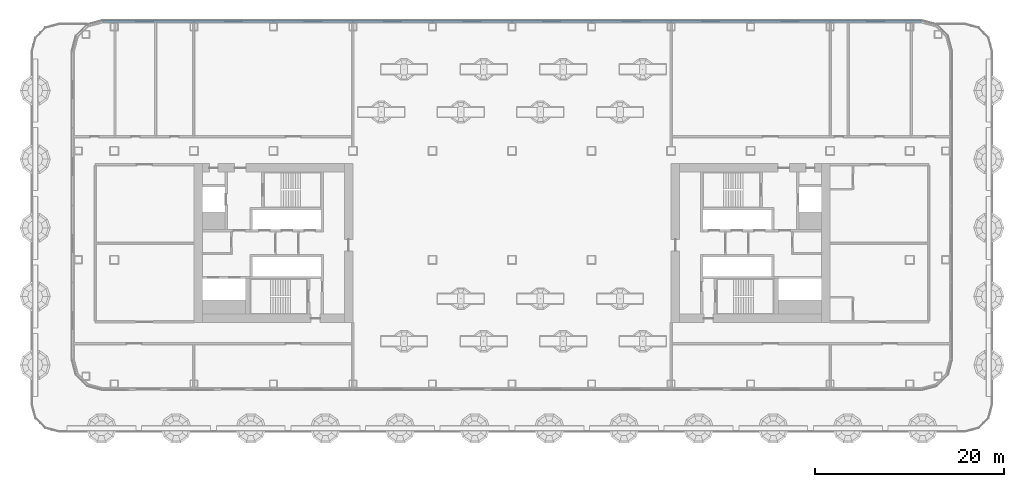
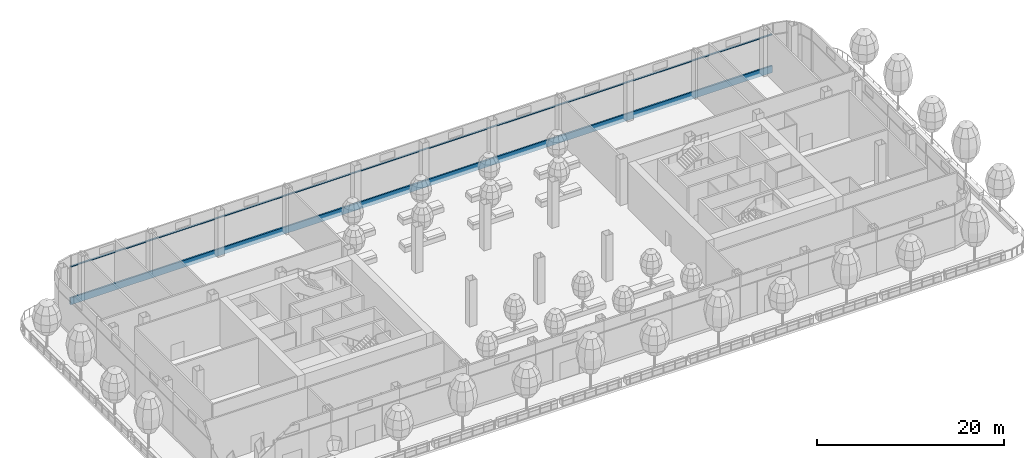
# One storey, part 7 of 44: 2 members, 1 element without a shape of its own.
"""IFC4 building model written with IfcOpenShell, lengths in metres."""

from ifc_helpers import new_model, si_unit, direction, frame, origin, origin_2d, place, context, subcontext, project, spatial, rectangle, extrude, material, layer, layer_set, material_profile, profile_set, type_object, element, aggregate, save


model = new_model("IFC4")

# Units and contexts
model_context = context("Model", 3, precision=1e-05, world=origin(), true_north=direction((0.0, 1.0)))
body_context = subcontext(model_context, "Body", "Model", "MODEL_VIEW")
ifc_project = project(units=[si_unit("LENGTHUNIT", "METRE"), si_unit("AREAUNIT", "SQUARE_METRE"), si_unit("VOLUMEUNIT", "CUBIC_METRE"), si_unit("PLANEANGLEUNIT", "RADIAN"), si_unit("MASSUNIT", "GRAM", prefix="KILO")], contexts=[model_context])

# Site, building, storey
site_placement = place(None, origin())
site = spatial("IfcSite", under=ifc_project, at=site_placement, CompositionType="ELEMENT")
building_placement = place(site_placement, origin())
building = spatial("IfcBuilding", under=site, at=building_placement, Name="Hakoniwa Tower and Hamabe Station Hall", CompositionType="ELEMENT")
storey_placement = place(building_placement, frame((0.0, 0.0, 69.0)))
storey = spatial("IfcBuildingStorey", under=building, at=storey_placement, Name="L19", CompositionType="ELEMENT", Elevation=69.0)

# Curtain wall, members
ifc_material_1 = material(Name="Dark low-e laminated glass", Category="glass")
ifc_layer = layer(ifc_material_1, 0.199951171875)
ifc_layer_set = layer_set([ifc_layer], Name="CW-2 SKY GARDEN")
curtain_wall_type = type_object("IfcCurtainWallType", Name="CW-2 SKY GARDEN", PredefinedType="NOTDEFINED", material=ifc_layer_set)
curtain_wall_placement = place(storey_placement, origin())
curtain_wall = element("IfcCurtainWall", 1, at=curtain_wall_placement, inside=storey, type_object=curtain_wall_type, Name="CW-2 curtain wall", PredefinedType="NOTDEFINED")
ifc_material_2 = material(Name="Aluminium 6063-T5 black anodised", Category="aluminium")
ifc_material_profile_1 = material_profile(ifc_material_2, rectangle(XDim=0.199951171875, YDim=0.1201171875, at=origin_2d()), Name="CW MID TRANSOM 120X200")
ifc_profile_set_1 = profile_set([ifc_material_profile_1], Name="Aluminium 6063-T5 black anodised")
member_type_1 = type_object("IfcMemberType", Name="CW MID TRANSOM 120X200", PredefinedType="USERDEFINED", material=ifc_profile_set_1)
member_1_placement = place(storey_placement, frame((43.239501953125, 23.449951171875, 4.389892578125), z_axis=(-1.0, 0.0, 0.0), x_axis=(0.0, -1.0, 0.0)))
member_1 = element("IfcMember", 2, at=member_1_placement, type_object=member_type_1, Name="CW-2 transom", ObjectType="TRANSOM", PredefinedType="USERDEFINED", context=body_context, shape_type="SweptSolid", body=[
    extrude(rectangle(XDim=0.199951171875, YDim=0.1201171875, at=origin_2d()), origin(), (0.0, 0.0, 1.0), 86.47900390625),
])
ifc_material_3 = material(Name="Aluminium 6063-T5 black anodised", Category="aluminium")
ifc_material_profile_2 = material_profile(ifc_material_3, rectangle(XDim=0.199951171875, YDim=0.89990234375, at=origin_2d()), Name="CW SLAB-EDGE BAND 900X200")
ifc_profile_set_2 = profile_set([ifc_material_profile_2], Name="Aluminium 6063-T5 black anodised")
member_type_2 = type_object("IfcMemberType", Name="CW SLAB-EDGE BAND 900X200", PredefinedType="USERDEFINED", material=ifc_profile_set_2)
member_2_placement = place(storey_placement, frame((43.239501953125, 23.449951171875, -0.10009765625), z_axis=(-1.0, 0.0, 0.0), x_axis=(0.0, -1.0, 0.0)))
member_2 = element("IfcMember", 3, at=member_2_placement, type_object=member_type_2, Name="CW-2 transom", ObjectType="TRANSOM", PredefinedType="USERDEFINED", context=body_context, shape_type="SweptSolid", body=[
    extrude(rectangle(XDim=0.199951171875, YDim=0.89990234375, at=origin_2d()), origin(), (0.0, 0.0, 1.0), 86.47900390625),
])
aggregate(curtain_wall, [member_2, member_1])

save(model, "model.ifc")
